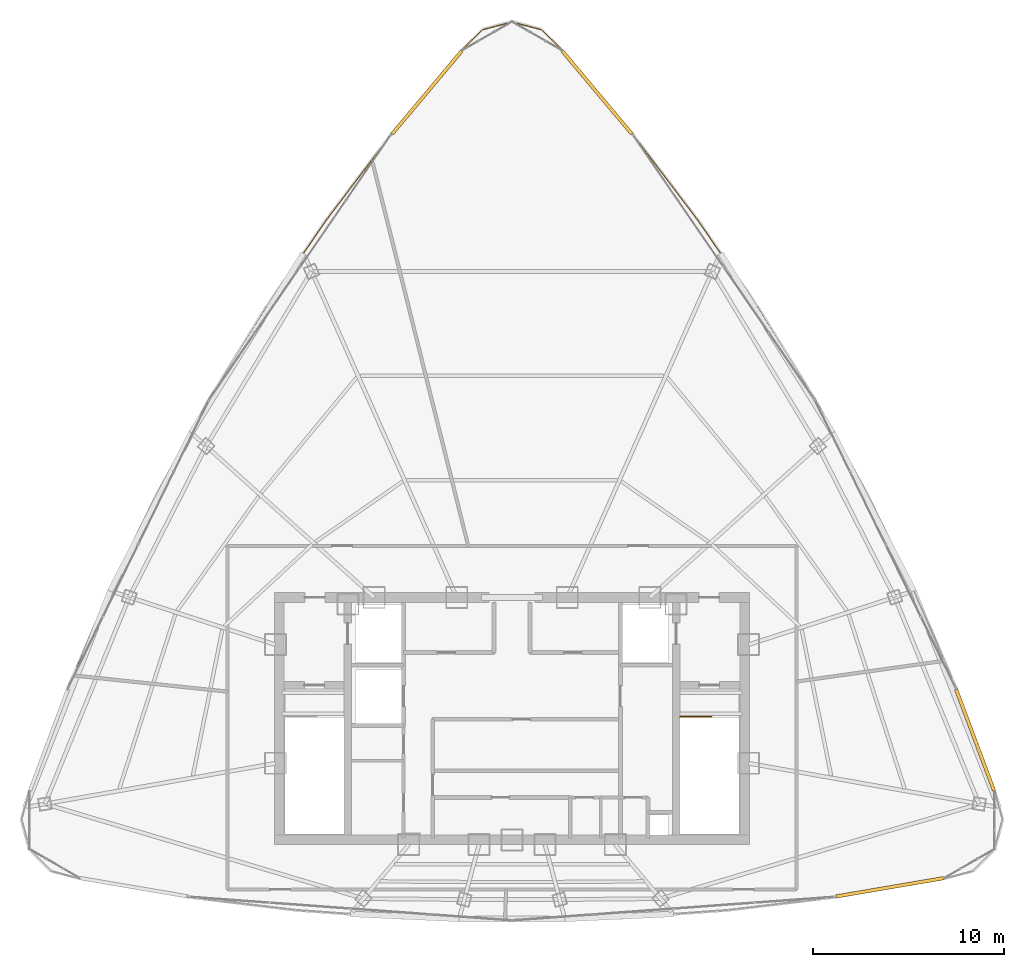
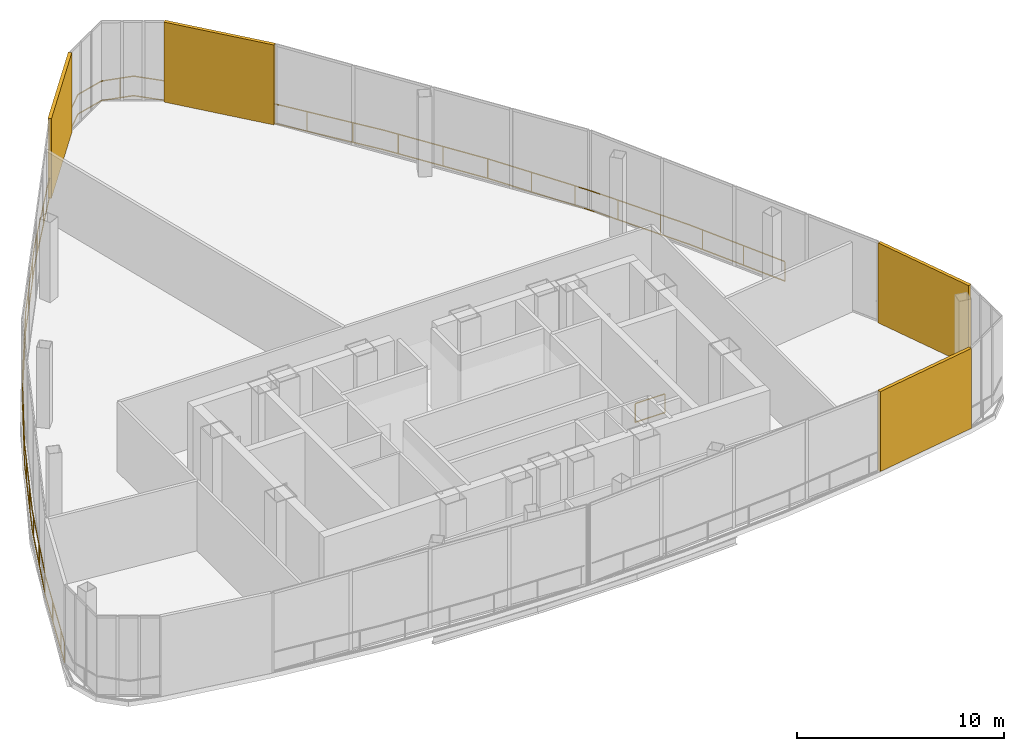
# One storey, part 32 of 32: 4 shading devices, 2 railings.
"""IFC4 building model written with IfcOpenShell, lengths in metres."""

import ifcopenshell
import ifcopenshell.guid

model = None  # the IFC model being written
_history = None  # IfcOwnerHistory: only IFC2X3 demands one
_inside = {}  # id of a spatial element -> (the spatial element, [elements in it])
_under = {}  # id of a project, library or spatial element -> (it, [spatial elements below it])
_declared = {}  # id of a project -> (the project, [libraries it declares])
_typed = {}  # id of a type object -> (the type object, [elements of that type])
_made_of = {}  # id of a material, layer set ... -> (it, [elements and type objects made of it])


def new_model(schema):
    """Start an empty IFC model of exactly this schema.

    Asked for "IFC4X3", IfcOpenShell would pick the latest addendum, in which some entities
    have other attributes; the version numbers below select the first issue.
    IFC2X3 requires an IfcOwnerHistory on every rooted entity: one is made here for all.
    """
    global model, _history
    if schema == "IFC4X3":
        model = ifcopenshell.file(schema_version=(4, 3, 0, 0))
    else:
        model = ifcopenshell.file(schema=schema)
    _inside.clear()
    _under.clear()
    _declared.clear()
    _typed.clear()
    _made_of.clear()
    _history = None
    if model.schema == "IFC2X3":
        org = make("IfcOrganization", Name="unknown")
        user = make(
            "IfcPersonAndOrganization",
            ThePerson=make("IfcPerson", FamilyName="unknown"),
            TheOrganization=org,
        )
        app = make(
            "IfcApplication",
            ApplicationDeveloper=org,
            Version="unknown",
            ApplicationFullName="unknown",
            ApplicationIdentifier="unknown",
        )
        _history = make(
            "IfcOwnerHistory",
            OwningUser=user,
            OwningApplication=app,
            ChangeAction="ADDED",
            CreationDate=0,
        )
    return model


def make(cls, **values):
    """One entity of the class cls with the attributes given. An attribute that is None is left unset."""
    return model.create_entity(
        cls, **{name: value for name, value in values.items() if value is not None}
    )


def rooted(cls, **values):
    """An entity with a GlobalId (a new one), such as an element, a storey or a relation."""
    return make(cls, GlobalId=ifcopenshell.guid.new(), OwnerHistory=_history, **values)


def si_unit(unit_type, name, prefix=None):
    """IfcSIUnit, for example si_unit("LENGTHUNIT", "METRE", prefix="MILLI")."""
    return make("IfcSIUnit", UnitType=unit_type, Prefix=prefix, Name=name)


def assignment(units):
    """IfcUnitAssignment: the units of a project."""
    return None if units is None else make("IfcUnitAssignment", Units=units)


def point(xyz):
    """IfcCartesianPoint."""
    return None if xyz is None else make("IfcCartesianPoint", Coordinates=xyz)


def direction(xyz):
    """IfcDirection."""
    return None if xyz is None else make("IfcDirection", DirectionRatios=xyz)


def frame(location, z_axis=None, x_axis=None):
    """IfcAxis2Placement3D, a coordinate frame: its origin and axes. An axis left out is left unset."""
    return make(
        "IfcAxis2Placement3D",
        Location=point(location),
        Axis=direction(z_axis),
        RefDirection=direction(x_axis),
    )


def frame_2d(location, x_axis=None):
    """IfcAxis2Placement2D, a coordinate frame in the plane: its origin and x axis."""
    return make(
        "IfcAxis2Placement2D", Location=point(location), RefDirection=direction(x_axis)
    )


def origin():
    """The frame at (0, 0, 0) with its axes left unset."""
    return frame((0.0, 0.0, 0.0))


def origin_2d():
    """The frame at (0, 0) in the plane with its x axis left unset."""
    return frame_2d((0.0, 0.0))


def place(relative_to, where):
    """IfcLocalPlacement: puts the frame where relative to a parent placement (None: the world)."""
    return make(
        "IfcLocalPlacement", PlacementRelTo=relative_to, RelativePlacement=where
    )


def context(
    kind, dimensions, precision=None, world=None, true_north=None, identifier=None
):
    """IfcGeometricRepresentationContext, for example the 3D "Model" context."""
    return make(
        "IfcGeometricRepresentationContext",
        ContextIdentifier=identifier,
        ContextType=kind,
        CoordinateSpaceDimension=dimensions,
        Precision=precision,
        WorldCoordinateSystem=world,
        TrueNorth=true_north,
    )


def subcontext(parent, identifier, kind, view, scale=None):
    """IfcGeometricRepresentationSubContext, for example "Body" below "Model"."""
    return make(
        "IfcGeometricRepresentationSubContext",
        ContextIdentifier=identifier,
        ContextType=kind,
        ParentContext=parent,
        TargetScale=scale,
        TargetView=view,
    )


def project(units=None, contexts=None):
    """IfcProject with its units and contexts."""
    return rooted(
        "IfcProject",
        Name="project",
        RepresentationContexts=contexts,
        UnitsInContext=assignment(units),
    )


def spatial(cls, under=None, at=None, **own):
    """A site, building, storey or space (cls), placed at a placement, below another one or the project."""
    s = rooted(cls, ObjectPlacement=at, **own)
    if under is not None:
        _under.setdefault(under.id(), (under, []))[1].append(s)
    return s


def profile(cls, at=None, kind="AREA", **sizes):
    """A parametric profile (cls). Its sizes go by their IFC names, for example OverallWidth=200.0."""
    return make(cls, ProfileType=kind, Position=at, **sizes)


def rectangle(**sizes):
    """IfcRectangleProfileDef."""
    return profile("IfcRectangleProfileDef", **sizes)


def extrude(swept, where, along, depth):
    """IfcExtrudedAreaSolid: the profile swept, set in the frame where, extruded along a direction by depth."""
    return make(
        "IfcExtrudedAreaSolid",
        SweptArea=swept,
        Position=where,
        ExtrudedDirection=direction(along),
        Depth=depth,
    )


def shape(context_of_items, identifier, shape_type, items):
    """IfcShapeRepresentation: the items that make up one representation, for example the "Body"."""
    return make(
        "IfcShapeRepresentation",
        ContextOfItems=context_of_items,
        RepresentationIdentifier=identifier,
        RepresentationType=shape_type,
        Items=items,
    )


def source(mapping_origin, context_of_items, identifier, shape_type, items):
    """IfcRepresentationMap: a shape defined once, which mapped items show again and again."""
    return make(
        "IfcRepresentationMap",
        MappingOrigin=mapping_origin,
        MappedRepresentation=shape(context_of_items, identifier, shape_type, items),
    )


def transform(
    local_origin,
    x_axis=None,
    y_axis=None,
    z_axis=None,
    scale=None,
    scale2=None,
    scale3=None,
    uniform=True,
):
    """IfcCartesianTransformationOperator3D, or its non-uniform kind. x_axis, y_axis, z_axis: its Axis1, 2, 3."""
    if uniform:
        return make(
            "IfcCartesianTransformationOperator3D",
            Axis1=direction(x_axis),
            Axis2=direction(y_axis),
            LocalOrigin=point(local_origin),
            Scale=scale,
            Axis3=direction(z_axis),
        )
    return make(
        "IfcCartesianTransformationOperator3DnonUniform",
        Axis1=direction(x_axis),
        Axis2=direction(y_axis),
        LocalOrigin=point(local_origin),
        Scale=scale,
        Axis3=direction(z_axis),
        Scale2=scale2,
        Scale3=scale3,
    )


def mapped(mapping_source, mapping_target):
    """IfcMappedItem: shows the shape of a source again, moved by a transform."""
    return make(
        "IfcMappedItem", MappingSource=mapping_source, MappingTarget=mapping_target
    )


def material(Name=None, Category=None):
    """IfcMaterial."""
    return make("IfcMaterial", Name=Name, Category=Category)


def layer(
    of_material, thickness, ventilated=None, Name=None, Category=None, Priority=None
):
    """IfcMaterialLayer: one layer of a wall or slab, of a material (None: an air gap)."""
    return make(
        "IfcMaterialLayer",
        Material=of_material,
        LayerThickness=thickness,
        IsVentilated=ventilated,
        Name=Name,
        Category=Category,
        Priority=Priority,
    )


def layer_set(layers, Name=None):
    """IfcMaterialLayerSet."""
    return make("IfcMaterialLayerSet", MaterialLayers=layers, LayerSetName=Name)


def made_of(thing, what):
    """Note that an element or type object is made of a material, layer set ...; save() writes the relation."""
    if what is not None:
        _made_of.setdefault(what.id(), (what, []))[1].append(thing)
    return thing


def type_object(cls, material=None, **own):
    """A type object (cls), such as IfcWallType, which elements share."""
    return made_of(rooted(cls, **own), material)


def element(
    cls,
    number,
    at=None,
    inside=None,
    cuts=None,
    type_object=None,
    material=None,
    context=None,
    identifier="Body",
    shape_type=None,
    held_by="IfcProductDefinitionShape",
    body=None,
    shapes=None,
    **own,
):
    """One element of the class cls, such as IfcWall. Its Tag is "e" and its number.

    at: its placement. inside: the storey or other place that contains it. cuts: it is an
    opening in that element (IfcRelVoidsElement). A single representation is given by context,
    identifier, shape_type and body (its items); several are given by shapes. held_by: the class
    of the entity that holds the representations. save() writes the other relations.
    """
    e = rooted(cls, Tag="e%d" % number, ObjectPlacement=at, **own)
    if body is not None:
        shapes = [shape(context, identifier, shape_type, body)]
    if shapes is not None:
        e.Representation = make(held_by, Representations=shapes)
    if inside is not None:
        _inside.setdefault(inside.id(), (inside, []))[1].append(e)
    if cuts is not None:
        rooted(
            "IfcRelVoidsElement", RelatingBuildingElement=cuts, RelatedOpeningElement=e
        )
    if type_object is not None:
        _typed.setdefault(type_object.id(), (type_object, []))[1].append(e)
    return made_of(e, material)


def aggregate(whole, parts):
    """IfcRelAggregates: a whole, such as a stair, and the parts it consists of."""
    return rooted("IfcRelAggregates", RelatingObject=whole, RelatedObjects=parts)


def save(model, path):
    """Write the relations noted so far, then the file.

    IfcRelAggregates (storeys below a building ...), IfcRelContainedInSpatialStructure (elements
    in a storey), IfcRelDefinesByType, IfcRelAssociatesMaterial and IfcRelDeclares: one each for
    every whole, place, type object, material and project.
    """
    for whole, parts in _under.values():
        aggregate(whole, parts)
    for where, things in _inside.values():
        rooted(
            "IfcRelContainedInSpatialStructure",
            RelatedElements=things,
            RelatingStructure=where,
        )
    for kind, things in _typed.values():
        rooted("IfcRelDefinesByType", RelatedObjects=things, RelatingType=kind)
    for what, things in _made_of.values():
        rooted("IfcRelAssociatesMaterial", RelatedObjects=things, RelatingMaterial=what)
    for by, libraries in _declared.values():
        rooted("IfcRelDeclares", RelatingContext=by, RelatedDefinitions=libraries)
    model.write(path)


model = new_model("IFC4")

# Units and contexts
model_context = context("Model", 3, precision=1e-05, world=origin(), true_north=direction((0.0, 1.0)))
body_context = subcontext(model_context, "Body", "Model", "MODEL_VIEW")
ifc_project = project(units=[si_unit("LENGTHUNIT", "METRE"), si_unit("AREAUNIT", "SQUARE_METRE"), si_unit("VOLUMEUNIT", "CUBIC_METRE"), si_unit("PLANEANGLEUNIT", "RADIAN"), si_unit("MASSUNIT", "GRAM", prefix="KILO"), si_unit("THERMODYNAMICTEMPERATUREUNIT", "KELVIN"), si_unit("POWERUNIT", "WATT")], contexts=[model_context])

# Site, building, storey
site_placement = place(None, origin())
site = spatial("IfcSite", under=ifc_project, at=site_placement, CompositionType="ELEMENT")
building_placement = place(site_placement, origin())
building = spatial("IfcBuilding", under=site, at=building_placement, Name="Yunzhuo Pagoda Commons", CompositionType="ELEMENT")
storey_placement = place(building_placement, frame((0.0, 0.0, 396.760009765625)))
storey = spatial("IfcBuildingStorey", under=building, at=storey_placement, Name="L98", CompositionType="ELEMENT", Elevation=396.760009765625)

# Railings
ifc_material = material(Name="Anodized aluminium 6063-T6", Category="aluminium")
railing_type_1 = type_object("IfcRailingType", Name="GR-ST2 Stair Well Guardrail 1160", PredefinedType="GUARDRAIL", material=ifc_material)
railing_1_placement = place(storey_placement, frame((56.800048828125, 33.949951171875, 0.0)))
element("IfcRailing", 1, at=railing_1_placement, inside=storey, type_object=railing_type_1, Name="L98 ST2 top well guard 1", PredefinedType="GUARDRAIL", context=body_context, shape_type="SweptSolid", body=[
    extrude(rectangle(XDim=0.048095703125, YDim=0.048095703125, at=origin_2d()), frame((0.0, 0.0, 1.1259765625), z_axis=(1.0, 0.0, 0.0), x_axis=(0.0, 1.0, 0.0)), (0.0, 0.0, 1.0), 1.64990234375),
    extrude(rectangle(XDim=0.048095703125, YDim=0.048095703125, at=origin_2d()), frame((0.0, 0.0, 0.02392578125), z_axis=(1.0, 0.0, 0.0), x_axis=(0.0, 1.0, 0.0)), (0.0, 0.0, 1.0), 1.64990234375),
    extrude(rectangle(XDim=0.0419921875, YDim=0.0419921875, at=origin_2d()), origin(), (0.0, 0.0, 1.0), 1.101806640625),
    extrude(rectangle(XDim=0.0419921875, YDim=0.0419921875, at=origin_2d()), frame((1.64990234375, 0.0, 0.0)), (0.0, 0.0, 1.0), 1.101806640625),
])
railing_type_2 = type_object("IfcRailingType", Name="RL-PRT1 Wind Portal & Refuge Guardrail 1200", PredefinedType="GUARDRAIL", material=ifc_material)
railing_2_placement = place(storey_placement, frame((69.01708984375, 40.64501953125, 0.0)))
element("IfcRailing", 2, at=railing_2_placement, inside=storey, type_object=railing_type_2, Name="L98 crown drum perimeter guardrail B", PredefinedType="GUARDRAIL", context=body_context, shape_type="SweptSolid", body=[
    extrude(rectangle(XDim=0.048095703125, YDim=0.048095703125, at=origin_2d()), frame((0.0, 0.0, 1.17578125), z_axis=(-0.440861408543, 0.897575188192, 0.0), x_axis=(-0.897575188192, -0.440861408543, 0.0)), (0.0, 0.0, 1.0), 5.60595703125),
    extrude(rectangle(XDim=0.048095703125, YDim=0.048095703125, at=origin_2d()), frame((0.0, 0.0, 0.02392578125), z_axis=(-0.440861408543, 0.897575188192, 0.0), x_axis=(-0.897575188192, -0.440861408543, 0.0)), (0.0, 0.0, 1.0), 5.60595703125),
    extrude(rectangle(XDim=0.048095703125, YDim=0.048095703125, at=origin_2d()), frame((-2.471435546875, 5.03173828125, 1.17578125), z_axis=(-0.483404209544, 0.875397264215, 0.0), x_axis=(-0.875397264215, -0.483404209544, 0.0)), (0.0, 0.0, 1.0), 5.58740234375),
    extrude(rectangle(XDim=0.048095703125, YDim=0.048095703125, at=origin_2d()), frame((-2.471435546875, 5.03173828125, 0.02392578125), z_axis=(-0.483404209544, 0.875397264215, 0.0), x_axis=(-0.875397264215, -0.483404209544, 0.0)), (0.0, 0.0, 1.0), 5.58740234375),
    extrude(rectangle(XDim=0.048095703125, YDim=0.048095703125, at=origin_2d()), frame((-5.17236328125, 9.9228515625, 1.17578125), z_axis=(-0.524619058666, 0.851337091453, 0.0), x_axis=(-0.851337091453, -0.524619058666, 0.0)), (0.0, 0.0, 1.0), 5.587158203125),
    extrude(rectangle(XDim=0.048095703125, YDim=0.048095703125, at=origin_2d()), frame((-5.17236328125, 9.9228515625, 0.02392578125), z_axis=(-0.524619058666, 0.851337091453, 0.0), x_axis=(-0.851337091453, -0.524619058666, 0.0)), (0.0, 0.0, 1.0), 5.587158203125),
    extrude(rectangle(XDim=0.048095703125, YDim=0.048095703125, at=origin_2d()), frame((-8.103515625, 14.679443359375, 1.17578125), z_axis=(-0.56484003921, 0.825200418144, 0.0), x_axis=(-0.825200418144, -0.56484003921, 0.0)), (0.0, 0.0, 1.0), 5.60546875),
    extrude(rectangle(XDim=0.048095703125, YDim=0.048095703125, at=origin_2d()), frame((-8.103515625, 14.679443359375, 0.02392578125), z_axis=(-0.56484003921, 0.825200418144, 0.0), x_axis=(-0.825200418144, -0.56484003921, 0.0)), (0.0, 0.0, 1.0), 5.60546875),
    extrude(rectangle(XDim=0.048095703125, YDim=0.048095703125, at=origin_2d()), frame((-11.269775390625, 19.30517578125, 1.17578125), z_axis=(-0.603934375004, 0.797034046129, 0.0), x_axis=(-0.797034046129, -0.603934375004, 0.0)), (0.0, 0.0, 1.0), 5.638916015625),
    extrude(rectangle(XDim=0.048095703125, YDim=0.048095703125, at=origin_2d()), frame((-11.269775390625, 19.30517578125, 0.02392578125), z_axis=(-0.603934375004, 0.797034046129, 0.0), x_axis=(-0.797034046129, -0.603934375004, 0.0)), (0.0, 0.0, 1.0), 5.638916015625),
    extrude(rectangle(XDim=0.048095703125, YDim=0.048095703125, at=origin_2d()), frame((-14.67529296875, 23.799560546875, 1.17578125), z_axis=(-0.64156485009, 0.767068799475, 0.0), x_axis=(-0.767068799475, -0.64156485009, 0.0)), (0.0, 0.0, 1.0), 5.68408203125),
    extrude(rectangle(XDim=0.048095703125, YDim=0.048095703125, at=origin_2d()), frame((-14.67529296875, 23.799560546875, 0.02392578125), z_axis=(-0.64156485009, 0.767068799475, 0.0), x_axis=(-0.767068799475, -0.64156485009, 0.0)), (0.0, 0.0, 1.0), 5.68408203125),
    extrude(rectangle(XDim=0.048095703125, YDim=0.048095703125, at=origin_2d()), frame((-18.322021484375, 28.15966796875, 1.17578125), z_axis=(-0.708469655856, 0.70574127464, 0.0), x_axis=(-0.70574127464, -0.708469655856, 0.0)), (0.0, 0.0, 1.0), 1.610595703125),
    extrude(rectangle(XDim=0.048095703125, YDim=0.048095703125, at=origin_2d()), frame((-18.322021484375, 28.15966796875, 0.02392578125), z_axis=(-0.708469655856, 0.70574127464, 0.0), x_axis=(-0.70574127464, -0.708469655856, 0.0)), (0.0, 0.0, 1.0), 1.610595703125),
    extrude(rectangle(XDim=0.048095703125, YDim=0.048095703125, at=origin_2d()), frame((-19.463134765625, 29.29638671875, 1.17578125), z_axis=(-0.965982586194, 0.258607121268, 0.0), x_axis=(-0.258607121268, -0.965982586194, 0.0)), (0.0, 0.0, 1.0), 1.608642578125),
    extrude(rectangle(XDim=0.048095703125, YDim=0.048095703125, at=origin_2d()), frame((-19.463134765625, 29.29638671875, 0.02392578125), z_axis=(-0.965982586194, 0.258607121268, 0.0), x_axis=(-0.258607121268, -0.965982586194, 0.0)), (0.0, 0.0, 1.0), 1.608642578125),
    extrude(rectangle(XDim=0.048095703125, YDim=0.048095703125, at=origin_2d()), frame((-21.01708984375, 29.71240234375, 1.17578125), z_axis=(-0.965982586194, -0.258607121268, 0.0), x_axis=(0.258607121268, -0.965982586194, 0.0)), (0.0, 0.0, 1.0), 1.608642578125),
    extrude(rectangle(XDim=0.048095703125, YDim=0.048095703125, at=origin_2d()), frame((-21.01708984375, 29.71240234375, 0.02392578125), z_axis=(-0.965982586194, -0.258607121268, 0.0), x_axis=(0.258607121268, -0.965982586194, 0.0)), (0.0, 0.0, 1.0), 1.608642578125),
    extrude(rectangle(XDim=0.048095703125, YDim=0.048095703125, at=origin_2d()), frame((-22.571044921875, 29.29638671875, 1.17578125), z_axis=(-0.708469655856, -0.70574127464, 0.0), x_axis=(0.70574127464, -0.708469655856, 0.0)), (0.0, 0.0, 1.0), 1.610595703125),
    extrude(rectangle(XDim=0.048095703125, YDim=0.048095703125, at=origin_2d()), frame((-22.571044921875, 29.29638671875, 0.02392578125), z_axis=(-0.708469655856, -0.70574127464, 0.0), x_axis=(0.70574127464, -0.708469655856, 0.0)), (0.0, 0.0, 1.0), 1.610595703125),
    extrude(rectangle(XDim=0.048095703125, YDim=0.048095703125, at=origin_2d()), frame((-23.712158203125, 28.15966796875, 1.17578125), z_axis=(-0.64156485009, -0.767068799475, 0.0), x_axis=(0.767068799475, -0.64156485009, 0.0)), (0.0, 0.0, 1.0), 5.68408203125),
    extrude(rectangle(XDim=0.048095703125, YDim=0.048095703125, at=origin_2d()), frame((-23.712158203125, 28.15966796875, 0.02392578125), z_axis=(-0.64156485009, -0.767068799475, 0.0), x_axis=(0.767068799475, -0.64156485009, 0.0)), (0.0, 0.0, 1.0), 5.68408203125),
    extrude(rectangle(XDim=0.048095703125, YDim=0.048095703125, at=origin_2d()), frame((-27.35888671875, 23.799560546875, 1.17578125), z_axis=(-0.603934375004, -0.797034046129, 0.0), x_axis=(0.797034046129, -0.603934375004, 0.0)), (0.0, 0.0, 1.0), 5.638916015625),
    extrude(rectangle(XDim=0.048095703125, YDim=0.048095703125, at=origin_2d()), frame((-27.35888671875, 23.799560546875, 0.02392578125), z_axis=(-0.603934375004, -0.797034046129, 0.0), x_axis=(0.797034046129, -0.603934375004, 0.0)), (0.0, 0.0, 1.0), 5.638916015625),
    extrude(rectangle(XDim=0.048095703125, YDim=0.048095703125, at=origin_2d()), frame((-30.764404296875, 19.30517578125, 1.17578125), z_axis=(-0.56484003921, -0.825200418144, 0.0), x_axis=(0.825200418144, -0.56484003921, 0.0)), (0.0, 0.0, 1.0), 5.60546875),
    extrude(rectangle(XDim=0.048095703125, YDim=0.048095703125, at=origin_2d()), frame((-30.764404296875, 19.30517578125, 0.02392578125), z_axis=(-0.56484003921, -0.825200418144, 0.0), x_axis=(0.825200418144, -0.56484003921, 0.0)), (0.0, 0.0, 1.0), 5.60546875),
    extrude(rectangle(XDim=0.048095703125, YDim=0.048095703125, at=origin_2d()), frame((-33.9306640625, 14.679443359375, 1.17578125), z_axis=(-0.524619058666, -0.851337091453, 0.0), x_axis=(0.851337091453, -0.524619058666, 0.0)), (0.0, 0.0, 1.0), 5.587158203125),
    extrude(rectangle(XDim=0.048095703125, YDim=0.048095703125, at=origin_2d()), frame((-33.9306640625, 14.679443359375, 0.02392578125), z_axis=(-0.524619058666, -0.851337091453, 0.0), x_axis=(0.851337091453, -0.524619058666, 0.0)), (0.0, 0.0, 1.0), 5.587158203125),
    extrude(rectangle(XDim=0.048095703125, YDim=0.048095703125, at=origin_2d()), frame((-36.86181640625, 9.9228515625, 1.17578125), z_axis=(-0.483404209544, -0.875397264215, 0.0), x_axis=(0.875397264215, -0.483404209544, 0.0)), (0.0, 0.0, 1.0), 5.58740234375),
    extrude(rectangle(XDim=0.048095703125, YDim=0.048095703125, at=origin_2d()), frame((-36.86181640625, 9.9228515625, 0.02392578125), z_axis=(-0.483404209544, -0.875397264215, 0.0), x_axis=(0.875397264215, -0.483404209544, 0.0)), (0.0, 0.0, 1.0), 5.58740234375),
    extrude(rectangle(XDim=0.048095703125, YDim=0.048095703125, at=origin_2d()), frame((-39.562744140625, 5.03173828125, 1.17578125), z_axis=(-0.440861408543, -0.897575188192, 0.0), x_axis=(0.897575188192, -0.440861408543, 0.0)), (0.0, 0.0, 1.0), 5.60595703125),
    extrude(rectangle(XDim=0.048095703125, YDim=0.048095703125, at=origin_2d()), frame((-39.562744140625, 5.03173828125, 0.02392578125), z_axis=(-0.440861408543, -0.897575188192, 0.0), x_axis=(0.897575188192, -0.440861408543, 0.0)), (0.0, 0.0, 1.0), 5.60595703125),
    extrude(rectangle(XDim=0.048095703125, YDim=0.048095703125, at=origin_2d()), frame((-42.0341796875, 0.0, 1.17578125), z_axis=(-0.397088580281, -0.917780289291, 0.0), x_axis=(0.917780289291, -0.397088580281, 0.0)), (0.0, 0.0, 1.0), 5.63916015625),
    extrude(rectangle(XDim=0.048095703125, YDim=0.048095703125, at=origin_2d()), frame((-42.0341796875, 0.0, 0.02392578125), z_axis=(-0.397088580281, -0.917780289291, 0.0), x_axis=(0.917780289291, -0.397088580281, 0.0)), (0.0, 0.0, 1.0), 5.63916015625),
    extrude(rectangle(XDim=0.048095703125, YDim=0.048095703125, at=origin_2d()), frame((-44.2734375, -5.175537109375, 1.17578125), z_axis=(-0.35245498995, -0.93582876642, 0.0), x_axis=(0.93582876642, -0.35245498995, 0.0)), (0.0, 0.0, 1.0), 5.6044921875),
    extrude(rectangle(XDim=0.048095703125, YDim=0.048095703125, at=origin_2d()), frame((-44.2734375, -5.175537109375, 0.02392578125), z_axis=(-0.35245498995, -0.93582876642, 0.0), x_axis=(0.93582876642, -0.35245498995, 0.0)), (0.0, 0.0, 1.0), 5.6044921875),
    extrude(rectangle(XDim=0.0419921875, YDim=0.0419921875, at=origin_2d()), origin(), (0.0, 0.0, 1.0), 1.15185546875),
    extrude(rectangle(XDim=0.0419921875, YDim=0.0419921875, at=origin_2d()), frame((-1.05810546875, 2.154296875, 0.0)), (0.0, 0.0, 1.0), 1.15185546875),
    extrude(rectangle(XDim=0.0419921875, YDim=0.0419921875, at=origin_2d()), frame((-2.1162109375, 4.308349609375, 0.0)), (0.0, 0.0, 1.0), 1.15185546875),
    extrude(rectangle(XDim=0.0419921875, YDim=0.0419921875, at=origin_2d()), frame((-3.241943359375, 6.42724609375, 0.0)), (0.0, 0.0, 1.0), 1.15185546875),
    extrude(rectangle(XDim=0.0419921875, YDim=0.0419921875, at=origin_2d()), frame((-4.402099609375, 8.528076171875, 0.0)), (0.0, 0.0, 1.0), 1.15185546875),
    extrude(rectangle(XDim=0.0419921875, YDim=0.0419921875, at=origin_2d()), frame((-5.595703125, 10.609619140625, 0.0)), (0.0, 0.0, 1.0), 1.15185546875),
    extrude(rectangle(XDim=0.0419921875, YDim=0.0419921875, at=origin_2d()), frame((-6.854736328125, 12.65283203125, 0.0)), (0.0, 0.0, 1.0), 1.15185546875),
    extrude(rectangle(XDim=0.0419921875, YDim=0.0419921875, at=origin_2d()), frame((-8.114501953125, 14.695556640625, 0.0)), (0.0, 0.0, 1.0), 1.15185546875),
    extrude(rectangle(XDim=0.0419921875, YDim=0.0419921875, at=origin_2d()), frame((-9.47021484375, 16.676025390625, 0.0)), (0.0, 0.0, 1.0), 1.15185546875),
    extrude(rectangle(XDim=0.0419921875, YDim=0.0419921875, at=origin_2d()), frame((-10.82568359375, 18.656494140625, 0.0)), (0.0, 0.0, 1.0), 1.15185546875),
    extrude(rectangle(XDim=0.0419921875, YDim=0.0419921875, at=origin_2d()), frame((-12.24462890625, 20.591552734375, 0.0)), (0.0, 0.0, 1.0), 1.15185546875),
    extrude(rectangle(XDim=0.0419921875, YDim=0.0419921875, at=origin_2d()), frame((-13.69384765625, 22.50439453125, 0.0)), (0.0, 0.0, 1.0), 1.15185546875),
    extrude(rectangle(XDim=0.0419921875, YDim=0.0419921875, at=origin_2d()), frame((-15.172607421875, 24.39404296875, 0.0)), (0.0, 0.0, 1.0), 1.15185546875),
    extrude(rectangle(XDim=0.0419921875, YDim=0.0419921875, at=origin_2d()), frame((-16.71240234375, 26.235107421875, 0.0)), (0.0, 0.0, 1.0), 1.15185546875),
    extrude(rectangle(XDim=0.0419921875, YDim=0.0419921875, at=origin_2d()), frame((-20.120361328125, 29.472412109375, 0.0)), (0.0, 0.0, 1.0), 1.15185546875),
    extrude(rectangle(XDim=0.0419921875, YDim=0.0419921875, at=origin_2d()), frame((-24.130615234375, 27.659423828125, 0.0)), (0.0, 0.0, 1.0), 1.15185546875),
    extrude(rectangle(XDim=0.0419921875, YDim=0.0419921875, at=origin_2d()), frame((-25.67041015625, 25.818359375, 0.0)), (0.0, 0.0, 1.0), 1.15185546875),
    extrude(rectangle(XDim=0.0419921875, YDim=0.0419921875, at=origin_2d()), frame((-27.210205078125, 23.977294921875, 0.0)), (0.0, 0.0, 1.0), 1.15185546875),
    extrude(rectangle(XDim=0.0419921875, YDim=0.0419921875, at=origin_2d()), frame((-28.668212890625, 22.071533203125, 0.0)), (0.0, 0.0, 1.0), 1.15185546875),
    extrude(rectangle(XDim=0.0419921875, YDim=0.0419921875, at=origin_2d()), frame((-30.11767578125, 20.15869140625, 0.0)), (0.0, 0.0, 1.0), 1.15185546875),
    extrude(rectangle(XDim=0.0419921875, YDim=0.0419921875, at=origin_2d()), frame((-31.51513671875, 18.208251953125, 0.0)), (0.0, 0.0, 1.0), 1.15185546875),
    extrude(rectangle(XDim=0.0419921875, YDim=0.0419921875, at=origin_2d()), frame((-32.870849609375, 16.227783203125, 0.0)), (0.0, 0.0, 1.0), 1.15185546875),
    extrude(rectangle(XDim=0.0419921875, YDim=0.0419921875, at=origin_2d()), frame((-34.205322265625, 14.233642578125, 0.0)), (0.0, 0.0, 1.0), 1.15185546875),
    extrude(rectangle(XDim=0.0419921875, YDim=0.0419921875, at=origin_2d()), frame((-35.464599609375, 12.1904296875, 0.0)), (0.0, 0.0, 1.0), 1.15185546875),
    extrude(rectangle(XDim=0.0419921875, YDim=0.0419921875, at=origin_2d()), frame((-36.7236328125, 10.147216796875, 0.0)), (0.0, 0.0, 1.0), 1.15185546875),
    extrude(rectangle(XDim=0.0419921875, YDim=0.0419921875, at=origin_2d()), frame((-37.89453125, 8.052490234375, 0.0)), (0.0, 0.0, 1.0), 1.15185546875),
    extrude(rectangle(XDim=0.0419921875, YDim=0.0419921875, at=origin_2d()), frame((-39.0546875, 5.95166015625, 0.0)), (0.0, 0.0, 1.0), 1.15185546875),
    extrude(rectangle(XDim=0.0419921875, YDim=0.0419921875, at=origin_2d()), frame((-40.157470703125, 3.82080078125, 0.0)), (0.0, 0.0, 1.0), 1.15185546875),
    extrude(rectangle(XDim=0.0419921875, YDim=0.0419921875, at=origin_2d()), frame((-41.215576171875, 1.66650390625, 0.0)), (0.0, 0.0, 1.0), 1.15185546875),
    extrude(rectangle(XDim=0.0419921875, YDim=0.0419921875, at=origin_2d()), frame((-42.25, -0.49853515625, 0.0)), (0.0, 0.0, 1.0), 1.15185546875),
    extrude(rectangle(XDim=0.0419921875, YDim=0.0419921875, at=origin_2d()), frame((-43.202880859375, -2.701171875, 0.0)), (0.0, 0.0, 1.0), 1.15185546875),
    extrude(rectangle(XDim=0.0419921875, YDim=0.0419921875, at=origin_2d()), frame((-44.156005859375, -4.904052734375, 0.0)), (0.0, 0.0, 1.0), 1.15185546875),
    extrude(rectangle(XDim=0.0419921875, YDim=0.0419921875, at=origin_2d()), frame((-45.01513671875, -7.14453125, 0.0)), (0.0, 0.0, 1.0), 1.15185546875),
    extrude(rectangle(XDim=0.0419921875, YDim=0.0419921875, at=origin_2d()), frame((-45.86083984375, -9.390625, 0.0)), (0.0, 0.0, 1.0), 1.15185546875),
    extrude(rectangle(XDim=0.0419921875, YDim=0.0419921875, at=origin_2d()), frame((-46.248779296875, -10.42041015625, 0.0)), (0.0, 0.0, 1.0), 1.15185546875),
])

# Shading devices
ifc_layer = layer(ifc_material, 0.179931640625)
ifc_layer_set = layer_set([ifc_layer], Name="Anodized aluminium 6063-T6")
shading_device_type = type_object("IfcShadingDeviceType", Name="SH-SCR2 Crown Drum Acoustic Louvre Screen", PredefinedType="JALOUSIE", material=ifc_layer_set)
shared_shape_1 = source(origin(), body_context, "Body", "SweptSolid", [
    extrude(rectangle(XDim=5.72314453125, YDim=0.179931640625, at=origin_2d()), origin(), (0.0, 0.0, 1.0), 4.719970703125),
])
shading_device_placement = place(storey_placement, frame((67.798583984375, 25.014404296875, 0.0), z_axis=(0.0, 0.0, 1.0), x_axis=(0.985803279142, 0.16790442172, 0.0)))
element("IfcShadingDevice", 3, at=shading_device_placement, inside=storey, type_object=shading_device_type, Name="L98 crown plant drum screen F1.7", PredefinedType="JALOUSIE", context=body_context, shape_type="MappedRepresentation", body=[
    mapped(shared_shape_1, transform((0.0, 0.0, 0.0), scale=1.0)),
])
shared_shape_2 = source(origin(), body_context, "Body", "SweptSolid", [
    extrude(rectangle(XDim=5.67724609375, YDim=0.179931640625, at=origin_2d()), origin(), (0.0, 0.0, 1.0), 4.719970703125),
])
for number, where, z_axis, x_axis, name in (
    (4, (72.258544921875, 32.74169921875, 0.0), (0.0, 0.0, 1.0), (-0.350697773643, 0.936488692704, 0.0), "L98 crown plant drum screen F2.0"),
    (5, (52.460205078125, 66.658203125, 0.0), (0.0, 0.0, 1.0), (-0.643014871351, 0.76585369048, 0.0), "L98 crown plant drum screen F2.7"),
    (6, (43.539794921875, 66.658203125, 0.0), (0.0, 0.0, 1.0), (-0.643014871351, -0.76585369048, 0.0), "L98 crown plant drum screen F3.0"),
):
    element("IfcShadingDevice", number, at=place(storey_placement, frame(where, z_axis=z_axis, x_axis=x_axis)), inside=storey, type_object=shading_device_type, Name=name, PredefinedType="JALOUSIE", context=body_context, shape_type="MappedRepresentation", body=[
        mapped(shared_shape_2, transform((0.0, 0.0, 0.0), scale=1.0)),
    ])

save(model, "model.ifc")
